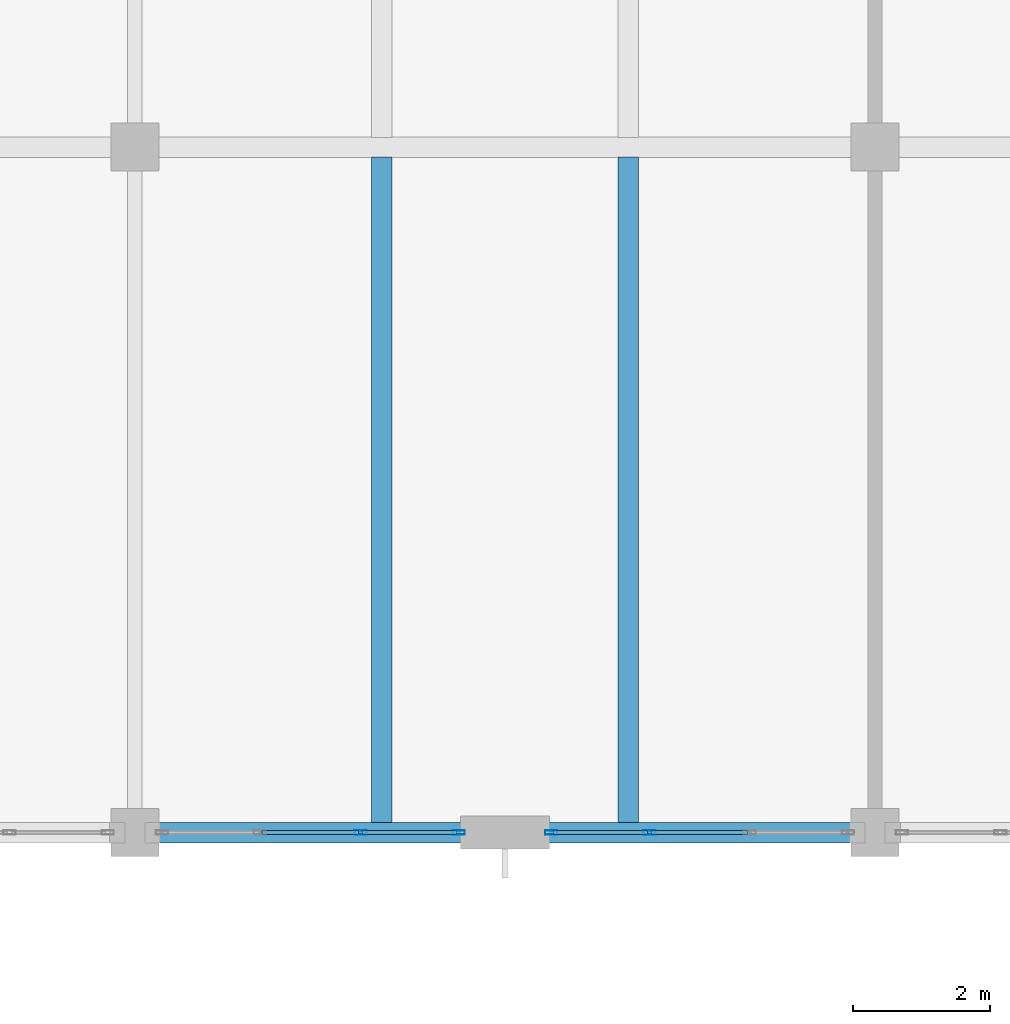
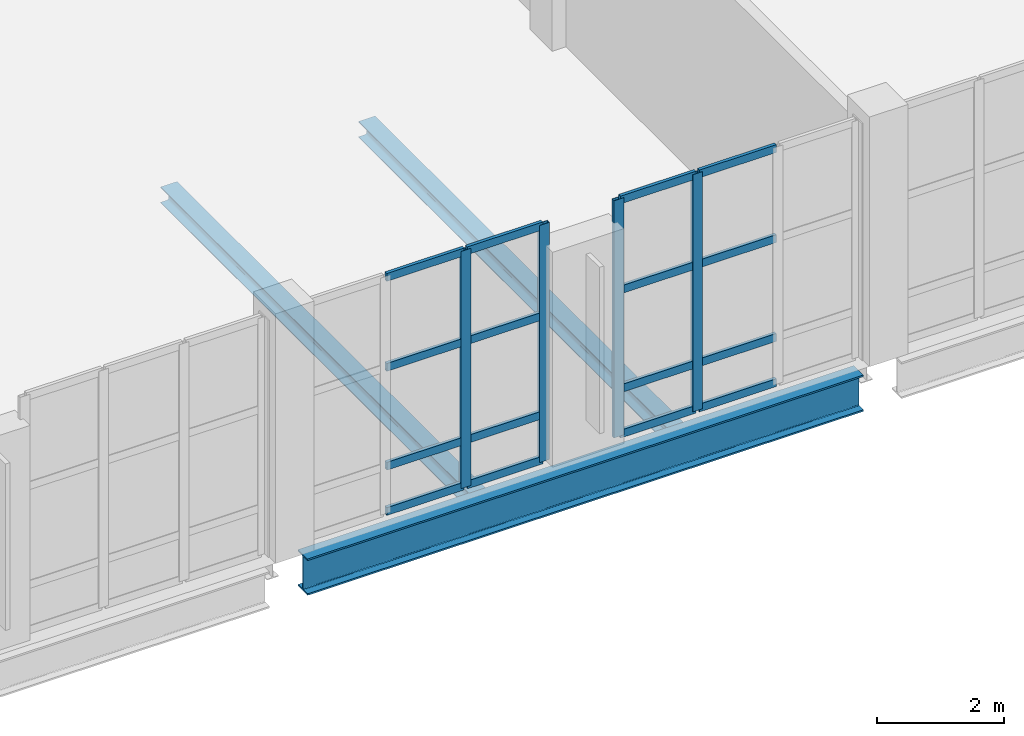
# One storey, part 28 of 92: 20 members, 3 beams, 2 elements without a shape of their own.
"""IFC4 building model written with IfcOpenShell, lengths in metres."""

from ifc_helpers import new_model, si_unit, direction, frame, origin, origin_2d, place, context, subcontext, project, spatial, hollow_rectangle, i_section, extrude, material, layer, layer_set, material_profile, profile_set, type_object, element, aggregate, save


model = new_model("IFC4")

# Units and contexts
model_context = context("Model", 3, precision=1e-05, world=origin(), true_north=direction((0.0, 1.0)))
body_context = subcontext(model_context, "Body", "Model", "MODEL_VIEW")
ifc_project = project(units=[si_unit("LENGTHUNIT", "METRE"), si_unit("AREAUNIT", "SQUARE_METRE"), si_unit("VOLUMEUNIT", "CUBIC_METRE"), si_unit("PLANEANGLEUNIT", "RADIAN"), si_unit("MASSUNIT", "GRAM", prefix="KILO")], contexts=[model_context])

# Site, building, storey
site_placement = place(None, origin())
site = spatial("IfcSite", under=ifc_project, at=site_placement, CompositionType="ELEMENT")
building_placement = place(site_placement, origin())
building = spatial("IfcBuilding", under=site, at=building_placement, Name="Tasgan Crest Museum", CompositionType="ELEMENT")
storey_placement = place(building_placement, frame((0.0, 0.0, 4.800048828125)))
storey = spatial("IfcBuildingStorey", under=building, at=storey_placement, Name="L01", CompositionType="ELEMENT", Elevation=4.800048828125)

# Beams
ifc_material_1 = material(Name="Steel S355K2", Category="steel")
ifc_material_profile_1 = material_profile(ifc_material_1, i_section(OverallWidth=0.300048828125, OverallDepth=0.699951171875, WebThickness=0.01708984375, FlangeThickness=0.031982421875, FilletRadius=0.027099609375, at=origin_2d()), Name="HEB 700")
ifc_profile_set_1 = profile_set([ifc_material_profile_1], Name="Steel S355K2")
beam_type_1 = type_object("IfcBeamType", Name="BM-G-HEB700", PredefinedType="BEAM", material=ifc_profile_set_1)
beam_placement = place(storey_placement, frame((119.14599609375, 10.0, -0.630126953125), z_axis=(1.0, 0.0, 0.0), x_axis=(0.0, 1.0, 0.0)))
element("IfcBeam", 1, at=beam_placement, inside=storey, type_object=beam_type_1, Name="Girder L01 B 118.8-129.6", PredefinedType="BEAM", context=body_context, shape_type="SweptSolid", body=[
    extrude(i_section(OverallWidth=0.300048828125, OverallDepth=0.699951171875, WebThickness=0.01708984375, FlangeThickness=0.031982421875, FilletRadius=0.027099609375, at=origin_2d()), origin(), (0.0, 0.0, 1.0), 10.10791015625),
])
ifc_material_2 = material(Name="Steel S355J2", Category="steel")
ifc_material_profile_2 = material_profile(ifc_material_2, i_section(OverallWidth=0.300048828125, OverallDepth=0.31005859375, WebThickness=0.009033203125, FlangeThickness=0.015380859375, FilletRadius=0.027099609375, at=origin_2d()), Name="HEA 320")
ifc_profile_set_2 = profile_set([ifc_material_profile_2], Name="Steel S355J2")
beam_type_2 = type_object("IfcBeamType", Name="BM-J-HEA320", PredefinedType="JOIST", material=ifc_profile_set_2)
for number, where, z_axis, x_axis, name in (
    (2, (122.39990234375, 10.14501953125, -0.43505859375), (0.0, 1.0, 0.0), (-1.0, 0.0, 0.0), "Secondary joist L01 X=122.4 Y=10.0-20.0"),
    (3, (126.0, 10.14501953125, -0.43505859375), (0.0, 1.0, 0.0), (-1.0, 0.0, 0.0), "Secondary joist L01 X=126.0 Y=10.0-20.0"),
):
    element("IfcBeam", number, at=place(storey_placement, frame(where, z_axis=z_axis, x_axis=x_axis)), inside=storey, type_object=beam_type_2, Name=name, PredefinedType="JOIST", context=body_context, shape_type="SweptSolid", body=[
        extrude(i_section(OverallWidth=0.300048828125, OverallDepth=0.31005859375, WebThickness=0.009033203125, FlangeThickness=0.015380859375, FilletRadius=0.027099609375, at=origin_2d()), origin(), (0.0, 0.0, 1.0), 9.7099609375),
    ])

# Curtain wall, members
ifc_material_3 = material(Name="Triple-Glazed Aluminium Curtain Wall", Category="aluminium")
ifc_layer = layer(ifc_material_3, 0.179931640625, Name="CW-PORCH-X")
ifc_layer_set = layer_set([ifc_layer], Name="Triple-Glazed Aluminium Curtain Wall")
curtain_wall_type = type_object("IfcCurtainWallType", Name="CW-PORCH-X", PredefinedType="NOTDEFINED", material=ifc_layer_set)
curtain_wall_1_placement = place(storey_placement, origin())
curtain_wall_1 = element("IfcCurtainWall", 4, at=curtain_wall_1_placement, inside=storey, type_object=curtain_wall_type, Name="Curtain wall L01 045", PredefinedType="NOTDEFINED")
ifc_material_4 = material(Name="Anodised Aluminium", Category="aluminium")
ifc_material_profile_3 = material_profile(ifc_material_4, hollow_rectangle(XDim=0.06494140625, YDim=0.179931640625, WallThickness=0.0048828125, at=origin_2d()), Name="ALU MULLION 180x65x5")
ifc_profile_set_3 = profile_set([ifc_material_profile_3], Name="Anodised Aluminium")
member_type_1 = type_object("IfcMemberType", Name="CW-MULLION-180", PredefinedType="MULLION", material=ifc_profile_set_3)
member_1_placement = place(storey_placement, frame((122.091552734375, 10.0, 0.0), z_axis=(0.0, 0.0, 1.0), x_axis=(0.0, 1.0, 0.0)))
member_1 = element("IfcMember", 5, at=member_1_placement, type_object=member_type_1, Name="CW01 mullion 3", PredefinedType="MULLION", context=body_context, shape_type="SweptSolid", body=[
    extrude(hollow_rectangle(XDim=0.06494140625, YDim=0.179931640625, WallThickness=0.0048828125, at=origin_2d()), origin(), (0.0, 0.0, 1.0), 4.56005859375),
])
member_2_placement = place(storey_placement, frame((123.52490234375, 10.0, 0.0), z_axis=(0.0, 0.0, 1.0), x_axis=(0.0, 1.0, 0.0)))
member_2 = element("IfcMember", 6, at=member_2_placement, type_object=member_type_1, Name="CW01 mullion 4", PredefinedType="MULLION", context=body_context, shape_type="SweptSolid", body=[
    extrude(hollow_rectangle(XDim=0.06494140625, YDim=0.179931640625, WallThickness=0.0048828125, at=origin_2d()), origin(), (0.0, 0.0, 1.0), 4.56005859375),
])

curtain_wall_2_placement = place(storey_placement, origin())
curtain_wall_2 = element("IfcCurtainWall", 7, at=curtain_wall_2_placement, inside=storey, type_object=curtain_wall_type, Name="Curtain wall L01 046", PredefinedType="NOTDEFINED")
member_3_placement = place(storey_placement, frame((124.875, 10.0, 0.0), z_axis=(0.0, 0.0, 1.0), x_axis=(0.0, 1.0, 0.0)))
member_3 = element("IfcMember", 8, at=member_3_placement, type_object=member_type_1, Name="CW01 mullion 1", PredefinedType="MULLION", context=body_context, shape_type="SweptSolid", body=[
    extrude(hollow_rectangle(XDim=0.06494140625, YDim=0.179931640625, WallThickness=0.0048828125, at=origin_2d()), origin(), (0.0, 0.0, 1.0), 4.56005859375),
])
member_4_placement = place(storey_placement, frame((126.308349609375, 10.0, 0.0), z_axis=(0.0, 0.0, 1.0), x_axis=(0.0, 1.0, 0.0)))
member_4 = element("IfcMember", 9, at=member_4_placement, type_object=member_type_1, Name="CW01 mullion 2", PredefinedType="MULLION", context=body_context, shape_type="SweptSolid", body=[
    extrude(hollow_rectangle(XDim=0.06494140625, YDim=0.179931640625, WallThickness=0.0048828125, at=origin_2d()), origin(), (0.0, 0.0, 1.0), 4.56005859375),
])

# Member
ifc_material_5 = material(Name="Anodised Aluminium", Category="aluminium")
ifc_material_profile_4 = material_profile(ifc_material_5, hollow_rectangle(XDim=0.06005859375, YDim=0.14990234375, WallThickness=0.0048828125, at=origin_2d()), Name="ALU TRANSOM 150x60x5")
ifc_profile_set_4 = profile_set([ifc_material_profile_4], Name="Anodised Aluminium")
member_type_2 = type_object("IfcMemberType", Name="CW-TRANSOM-150", PredefinedType="USERDEFINED", material=ifc_profile_set_4)
member_5_placement = place(storey_placement, frame((120.658447265625, 10.0, 0.030029296875), z_axis=(1.0, 0.0, 0.0), x_axis=(0.0, 1.0, 0.0)))
member_5 = element("IfcMember", 10, at=member_5_placement, type_object=member_type_2, Name="CW01 transom 2.1", ObjectType="TRANSOM", PredefinedType="USERDEFINED", context=body_context, shape_type="SweptSolid", body=[
    extrude(hollow_rectangle(XDim=0.06005859375, YDim=0.14990234375, WallThickness=0.0048828125, at=origin_2d()), origin(), (0.0, 0.0, 1.0), 1.4033203125),
])

member_6_placement = place(storey_placement, frame((120.658447265625, 10.0, 0.89990234375), z_axis=(1.0, 0.0, 0.0), x_axis=(0.0, 1.0, 0.0)))
member_6 = element("IfcMember", 11, at=member_6_placement, type_object=member_type_2, Name="CW01 transom 2.2", ObjectType="TRANSOM", PredefinedType="USERDEFINED", context=body_context, shape_type="SweptSolid", body=[
    extrude(hollow_rectangle(XDim=0.06005859375, YDim=0.14990234375, WallThickness=0.0048828125, at=origin_2d()), origin(), (0.0, 0.0, 1.0), 1.4033203125),
])

member_7_placement = place(storey_placement, frame((120.658447265625, 10.0, 2.800048828125), z_axis=(1.0, 0.0, 0.0), x_axis=(0.0, 1.0, 0.0)))
member_7 = element("IfcMember", 12, at=member_7_placement, type_object=member_type_2, Name="CW01 transom 2.3", ObjectType="TRANSOM", PredefinedType="USERDEFINED", context=body_context, shape_type="SweptSolid", body=[
    extrude(hollow_rectangle(XDim=0.06005859375, YDim=0.14990234375, WallThickness=0.0048828125, at=origin_2d()), origin(), (0.0, 0.0, 1.0), 1.4033203125),
])

member_8_placement = place(storey_placement, frame((120.658447265625, 10.0, 4.530029296875), z_axis=(1.0, 0.0, 0.0), x_axis=(0.0, 1.0, 0.0)))
member_8 = element("IfcMember", 13, at=member_8_placement, type_object=member_type_2, Name="CW01 transom 2.4", ObjectType="TRANSOM", PredefinedType="USERDEFINED", context=body_context, shape_type="SweptSolid", body=[
    extrude(hollow_rectangle(XDim=0.06005859375, YDim=0.14990234375, WallThickness=0.0048828125, at=origin_2d()), origin(), (0.0, 0.0, 1.0), 1.4033203125),
])

member_9_placement = place(storey_placement, frame((122.12158203125, 10.0, 0.030029296875), z_axis=(1.0, 0.0, 0.0), x_axis=(0.0, 1.0, 0.0)))
member_9 = element("IfcMember", 14, at=member_9_placement, type_object=member_type_2, Name="CW01 transom 3.1", ObjectType="TRANSOM", PredefinedType="USERDEFINED", context=body_context, shape_type="SweptSolid", body=[
    extrude(hollow_rectangle(XDim=0.06005859375, YDim=0.14990234375, WallThickness=0.0048828125, at=origin_2d()), origin(), (0.0, 0.0, 1.0), 1.37353515625),
])

member_10_placement = place(storey_placement, frame((122.12158203125, 10.0, 0.89990234375), z_axis=(1.0, 0.0, 0.0), x_axis=(0.0, 1.0, 0.0)))
member_10 = element("IfcMember", 15, at=member_10_placement, type_object=member_type_2, Name="CW01 transom 3.2", ObjectType="TRANSOM", PredefinedType="USERDEFINED", context=body_context, shape_type="SweptSolid", body=[
    extrude(hollow_rectangle(XDim=0.06005859375, YDim=0.14990234375, WallThickness=0.0048828125, at=origin_2d()), origin(), (0.0, 0.0, 1.0), 1.37353515625),
])

member_11_placement = place(storey_placement, frame((122.12158203125, 10.0, 2.800048828125), z_axis=(1.0, 0.0, 0.0), x_axis=(0.0, 1.0, 0.0)))
member_11 = element("IfcMember", 16, at=member_11_placement, type_object=member_type_2, Name="CW01 transom 3.3", ObjectType="TRANSOM", PredefinedType="USERDEFINED", context=body_context, shape_type="SweptSolid", body=[
    extrude(hollow_rectangle(XDim=0.06005859375, YDim=0.14990234375, WallThickness=0.0048828125, at=origin_2d()), origin(), (0.0, 0.0, 1.0), 1.37353515625),
])

member_12_placement = place(storey_placement, frame((122.12158203125, 10.0, 4.530029296875), z_axis=(1.0, 0.0, 0.0), x_axis=(0.0, 1.0, 0.0)))
member_12 = element("IfcMember", 17, at=member_12_placement, type_object=member_type_2, Name="CW01 transom 3.4", ObjectType="TRANSOM", PredefinedType="USERDEFINED", context=body_context, shape_type="SweptSolid", body=[
    extrude(hollow_rectangle(XDim=0.06005859375, YDim=0.14990234375, WallThickness=0.0048828125, at=origin_2d()), origin(), (0.0, 0.0, 1.0), 1.37353515625),
])

aggregate(curtain_wall_1, [member_1, member_2, member_5, member_6, member_7, member_8, member_9, member_10, member_11, member_12])

member_13_placement = place(storey_placement, frame((124.905029296875, 10.0, 0.030029296875), z_axis=(1.0, 0.0, 0.0), x_axis=(0.0, 1.0, 0.0)))
member_13 = element("IfcMember", 18, at=member_13_placement, type_object=member_type_2, Name="CW01 transom 1.1", ObjectType="TRANSOM", PredefinedType="USERDEFINED", context=body_context, shape_type="SweptSolid", body=[
    extrude(hollow_rectangle(XDim=0.06005859375, YDim=0.14990234375, WallThickness=0.0048828125, at=origin_2d()), origin(), (0.0, 0.0, 1.0), 1.373291015625),
])

member_14_placement = place(storey_placement, frame((124.905029296875, 10.0, 0.89990234375), z_axis=(1.0, 0.0, 0.0), x_axis=(0.0, 1.0, 0.0)))
member_14 = element("IfcMember", 19, at=member_14_placement, type_object=member_type_2, Name="CW01 transom 1.2", ObjectType="TRANSOM", PredefinedType="USERDEFINED", context=body_context, shape_type="SweptSolid", body=[
    extrude(hollow_rectangle(XDim=0.06005859375, YDim=0.14990234375, WallThickness=0.0048828125, at=origin_2d()), origin(), (0.0, 0.0, 1.0), 1.373291015625),
])

member_15_placement = place(storey_placement, frame((124.905029296875, 10.0, 2.800048828125), z_axis=(1.0, 0.0, 0.0), x_axis=(0.0, 1.0, 0.0)))
member_15 = element("IfcMember", 20, at=member_15_placement, type_object=member_type_2, Name="CW01 transom 1.3", ObjectType="TRANSOM", PredefinedType="USERDEFINED", context=body_context, shape_type="SweptSolid", body=[
    extrude(hollow_rectangle(XDim=0.06005859375, YDim=0.14990234375, WallThickness=0.0048828125, at=origin_2d()), origin(), (0.0, 0.0, 1.0), 1.373291015625),
])

member_16_placement = place(storey_placement, frame((124.905029296875, 10.0, 4.530029296875), z_axis=(1.0, 0.0, 0.0), x_axis=(0.0, 1.0, 0.0)))
member_16 = element("IfcMember", 21, at=member_16_placement, type_object=member_type_2, Name="CW01 transom 1.4", ObjectType="TRANSOM", PredefinedType="USERDEFINED", context=body_context, shape_type="SweptSolid", body=[
    extrude(hollow_rectangle(XDim=0.06005859375, YDim=0.14990234375, WallThickness=0.0048828125, at=origin_2d()), origin(), (0.0, 0.0, 1.0), 1.373291015625),
])

member_17_placement = place(storey_placement, frame((126.33837890625, 10.0, 0.030029296875), z_axis=(1.0, 0.0, 0.0), x_axis=(0.0, 1.0, 0.0)))
member_17 = element("IfcMember", 22, at=member_17_placement, type_object=member_type_2, Name="CW01 transom 2.1", ObjectType="TRANSOM", PredefinedType="USERDEFINED", context=body_context, shape_type="SweptSolid", body=[
    extrude(hollow_rectangle(XDim=0.06005859375, YDim=0.14990234375, WallThickness=0.0048828125, at=origin_2d()), origin(), (0.0, 0.0, 1.0), 1.4033203125),
])

member_18_placement = place(storey_placement, frame((126.33837890625, 10.0, 0.89990234375), z_axis=(1.0, 0.0, 0.0), x_axis=(0.0, 1.0, 0.0)))
member_18 = element("IfcMember", 23, at=member_18_placement, type_object=member_type_2, Name="CW01 transom 2.2", ObjectType="TRANSOM", PredefinedType="USERDEFINED", context=body_context, shape_type="SweptSolid", body=[
    extrude(hollow_rectangle(XDim=0.06005859375, YDim=0.14990234375, WallThickness=0.0048828125, at=origin_2d()), origin(), (0.0, 0.0, 1.0), 1.4033203125),
])

member_19_placement = place(storey_placement, frame((126.33837890625, 10.0, 2.800048828125), z_axis=(1.0, 0.0, 0.0), x_axis=(0.0, 1.0, 0.0)))
member_19 = element("IfcMember", 24, at=member_19_placement, type_object=member_type_2, Name="CW01 transom 2.3", ObjectType="TRANSOM", PredefinedType="USERDEFINED", context=body_context, shape_type="SweptSolid", body=[
    extrude(hollow_rectangle(XDim=0.06005859375, YDim=0.14990234375, WallThickness=0.0048828125, at=origin_2d()), origin(), (0.0, 0.0, 1.0), 1.4033203125),
])

member_20_placement = place(storey_placement, frame((126.33837890625, 10.0, 4.530029296875), z_axis=(1.0, 0.0, 0.0), x_axis=(0.0, 1.0, 0.0)))
member_20 = element("IfcMember", 25, at=member_20_placement, type_object=member_type_2, Name="CW01 transom 2.4", ObjectType="TRANSOM", PredefinedType="USERDEFINED", context=body_context, shape_type="SweptSolid", body=[
    extrude(hollow_rectangle(XDim=0.06005859375, YDim=0.14990234375, WallThickness=0.0048828125, at=origin_2d()), origin(), (0.0, 0.0, 1.0), 1.4033203125),
])

aggregate(curtain_wall_2, [member_3, member_4, member_13, member_14, member_15, member_16, member_17, member_18, member_19, member_20])

save(model, "model.ifc")
